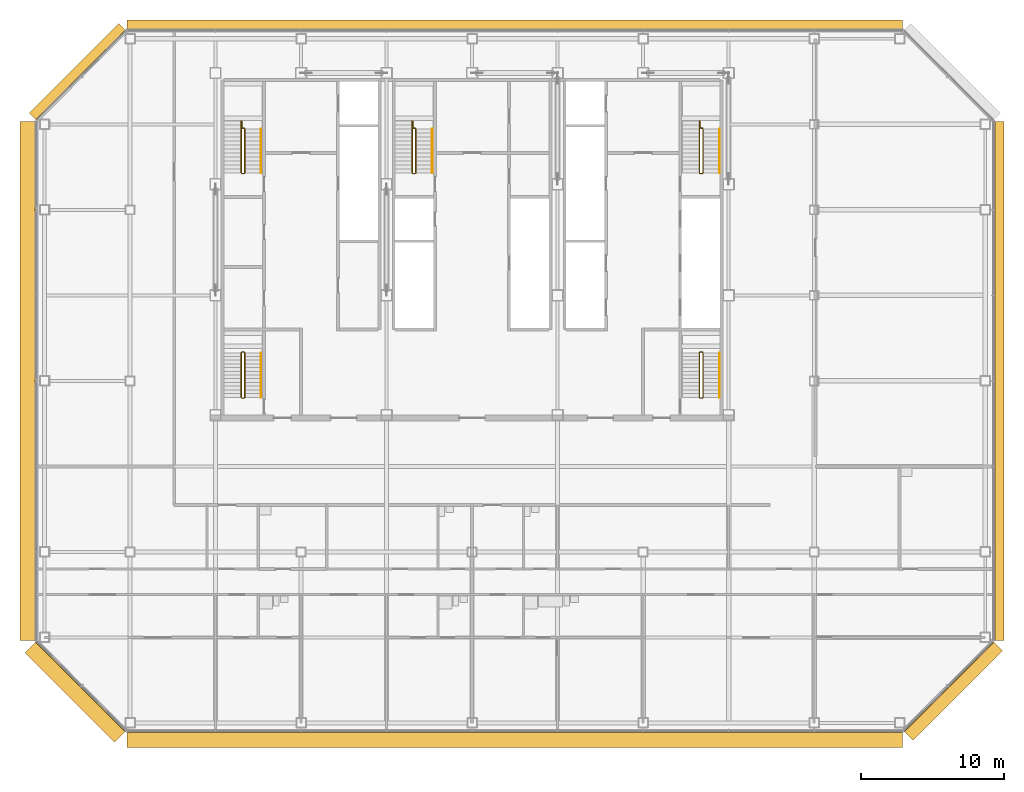
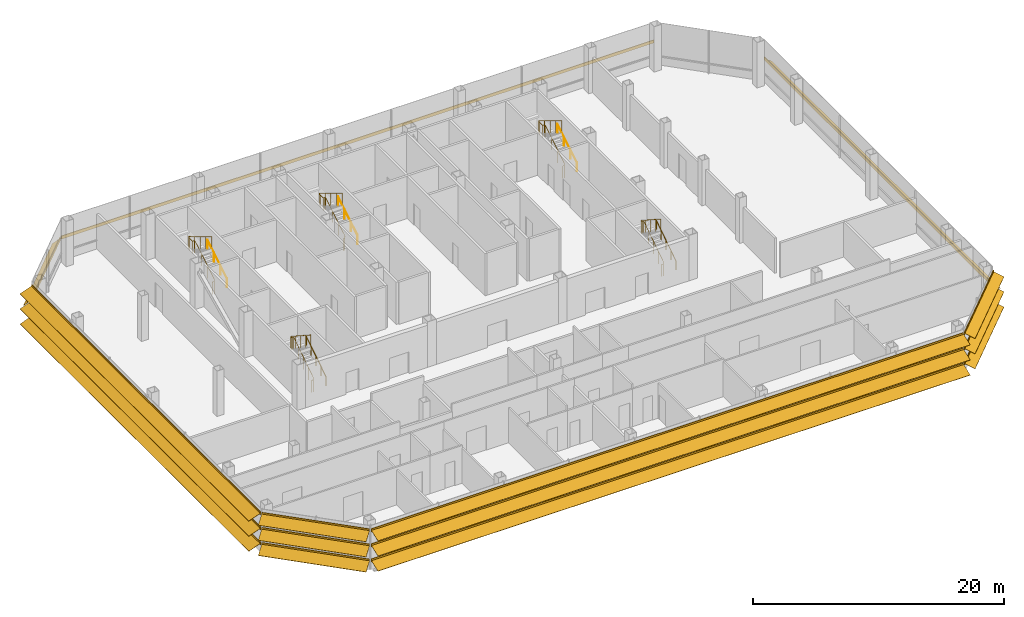
# One storey, part 24 of 26: 10 railings, 7 shading devices.
"""IFC4 building model written with IfcOpenShell, lengths in metres."""

from ifc_helpers import new_model, si_unit, direction, frame, origin, origin_2d, place, context, subcontext, project, spatial, polyline, circle, outline, composite_profile, extrude, material, type_object, element, save


model = new_model("IFC4")

# Units and contexts
model_context = context("Model", 3, precision=1e-05, world=origin(), true_north=direction((0.0, 1.0)))
body_context = subcontext(model_context, "Body", "Model", "MODEL_VIEW")
ifc_project = project(units=[si_unit("LENGTHUNIT", "METRE"), si_unit("AREAUNIT", "SQUARE_METRE"), si_unit("VOLUMEUNIT", "CUBIC_METRE"), si_unit("PLANEANGLEUNIT", "RADIAN"), si_unit("MASSUNIT", "GRAM", prefix="KILO")], contexts=[model_context])

# Site, building, storey
site_placement = place(None, origin())
site = spatial("IfcSite", under=ifc_project, at=site_placement, CompositionType="ELEMENT")
building_placement = place(site_placement, origin())
building = spatial("IfcBuilding", under=site, at=building_placement, Name="Sorahane Residences", CompositionType="ELEMENT")
storey_placement = place(building_placement, frame((0.0, 0.0, 181.60009765625)))
storey = spatial("IfcBuildingStorey", under=building, at=storey_placement, Name="L42", CompositionType="ELEMENT", Elevation=181.60009765625)

# Shading devices
ifc_material_1 = material(Name="Terracotta anodised aluminium", Category="masonry")
shading_device_type_1 = type_object("IfcShadingDeviceType", Name="Louvre sunshade blade E terracotta aluminium 700", PredefinedType="JALOUSIE", material=ifc_material_1)
shading_device_1_placement = place(storey_placement, frame((60.60009765625, 5.801513671875, 2.199951171875), z_axis=(0.0, 1.0, 0.0), x_axis=(-1.0, 0.0, 0.0)))
element("IfcShadingDevice", 1, at=shading_device_1_placement, inside=storey, type_object=shading_device_type_1, Name="Louvre sunshade blade bank E L42 E1", PredefinedType="JALOUSIE", context=body_context, shape_type="SweptSolid", body=[
    extrude(outline(polyline([(-0.719970703125, -0.49365234375), (-0.719970703125, -0.523681640625), (-0.080078125, -0.05859375), (-0.080078125, -0.14990234375), (-0.02001953125, -0.14990234375), (-0.02001953125, -0.014892578125), (-0.02001953125, 0.014892578125), (-0.02001953125, 0.14990234375), (-0.080078125, 0.14990234375), (-0.080078125, -0.028564453125), (-0.719970703125, -0.49365234375)])), origin(), (0.0, 0.0, 1.0), 36.39697265625),
])
ifc_material_2 = material(Name="Terracotta anodised aluminium", Category="masonry")
shading_device_type_2 = type_object("IfcShadingDeviceType", Name="Louvre sunshade blade N terracotta aluminium 700", PredefinedType="JALOUSIE", material=ifc_material_2)
shading_device_2_placement = place(storey_placement, frame((54.198486328125, 48.60009765625, 2.199951171875), z_axis=(-1.0, 0.0, 0.0), x_axis=(0.0, -1.0, 0.0)))
element("IfcShadingDevice", 2, at=shading_device_2_placement, inside=storey, type_object=shading_device_type_2, Name="Louvre sunshade blade bank N L42 N1", PredefinedType="JALOUSIE", context=body_context, shape_type="SweptSolid", body=[
    extrude(outline(polyline([(-0.719970703125, -0.660888671875), (-0.719970703125, -0.69091796875), (-0.080078125, -0.072998046875), (-0.080078125, -0.14990234375), (-0.02001953125, -0.14990234375), (-0.02001953125, -0.014892578125), (-0.02001953125, 0.014892578125), (-0.02001953125, 0.14990234375), (-0.080078125, 0.14990234375), (-0.080078125, -0.04296875), (-0.719970703125, -0.660888671875)])), origin(), (0.0, 0.0, 1.0), 54.39697265625),
])
ifc_material_3 = material(Name="Terracotta anodised aluminium", Category="masonry")
shading_device_type_3 = type_object("IfcShadingDeviceType", Name="Louvre sunshade blade NW terracotta aluminium 700", PredefinedType="JALOUSIE", material=ifc_material_3)
shading_device_3_placement = place(storey_placement, frame((-0.283935546875, 48.564697265625, 2.199951171875), z_axis=(-0.707106781187, -0.707106781187, 0.0), x_axis=(0.707106781187, -0.707106781187, 0.0)))
element("IfcShadingDevice", 3, at=shading_device_3_placement, inside=storey, type_object=shading_device_type_3, Name="Louvre sunshade blade bank NW L42 NW1", PredefinedType="JALOUSIE", context=body_context, shape_type="SweptSolid", body=[
    extrude(outline(polyline([(-0.719970703125, -0.660888671875), (-0.719970703125, -0.69091796875), (-0.080078125, -0.072998046875), (-0.080078125, -0.14990234375), (-0.02001953125, -0.14990234375), (-0.02001953125, -0.014892578125), (-0.02001953125, 0.014892578125), (-0.02001953125, 0.14990234375), (-0.080078125, 0.14990234375), (-0.080078125, -0.04296875), (-0.719970703125, -0.660888671875)])), origin(), (0.0, 0.0, 1.0), 8.88232421875),
])
ifc_material_4 = material(Name="Terracotta anodised aluminium", Category="masonry")
shading_device_type_4 = type_object("IfcShadingDeviceType", Name="Louvre sunshade blade S terracotta aluminium 1100", PredefinedType="JALOUSIE", material=ifc_material_4)
shading_device_4_placement = place(storey_placement, frame((-0.198486328125, -0.60009765625, 0.733154296875), z_axis=(1.0, 0.0, 0.0), x_axis=(0.0, 1.0, 0.0)))
element("IfcShadingDevice", 4, at=shading_device_4_placement, inside=storey, type_object=shading_device_type_4, Name="Louvre sunshade blade bank S L42 S1", PredefinedType="JALOUSIE", context=body_context, shape_type="SweptSolid", body=[
    extrude(composite_profile([outline(polyline([(-1.1201171875, -0.385498046875), (-1.1201171875, -0.415283203125), (-0.080078125, -0.036865234375), (-0.080078125, -0.14990234375), (-0.02001953125, -0.14990234375), (-0.02001953125, -0.014892578125), (-0.02001953125, 0.014892578125), (-0.02001953125, 0.14990234375), (-0.080078125, 0.14990234375), (-0.080078125, -0.0068359375), (-1.1201171875, -0.385498046875)])), outline(polyline([(-1.1201171875, 1.081298828125), (-1.1201171875, 1.05126953125), (-0.080078125, 1.429931640625), (-0.080078125, 1.316650390625), (-0.02001953125, 1.316650390625), (-0.02001953125, 1.45166015625), (-0.02001953125, 1.481689453125), (-0.02001953125, 1.61669921875), (-0.080078125, 1.61669921875), (-0.080078125, 1.4599609375), (-1.1201171875, 1.081298828125)])), outline(polyline([(-1.1201171875, 2.5478515625), (-1.1201171875, 2.517822265625), (-0.080078125, 2.896484375), (-0.080078125, 2.783203125), (-0.02001953125, 2.783203125), (-0.02001953125, 2.918212890625), (-0.02001953125, 2.9482421875), (-0.02001953125, 3.083251953125), (-0.080078125, 3.083251953125), (-0.080078125, 2.926513671875), (-1.1201171875, 2.5478515625)]))]), origin(), (0.0, 0.0, 1.0), 54.39697265625),
])
ifc_material_5 = material(Name="Terracotta anodised aluminium", Category="masonry")
shading_device_type_5 = type_object("IfcShadingDeviceType", Name="Louvre sunshade blade SE terracotta aluminium 900", PredefinedType="JALOUSIE", material=ifc_material_5)
shading_device_5_placement = place(storey_placement, frame((54.283935546875, -0.564697265625, 0.733154296875), z_axis=(0.707106781187, 0.707106781187, 0.0), x_axis=(-0.707106781187, 0.707106781187, 0.0)))
element("IfcShadingDevice", 5, at=shading_device_5_placement, inside=storey, type_object=shading_device_type_5, Name="Louvre sunshade blade bank SE L42 SE1", PredefinedType="JALOUSIE", context=body_context, shape_type="SweptSolid", body=[
    extrude(composite_profile([outline(polyline([(-0.919921875, -0.3486328125), (-0.919921875, -0.378662109375), (-0.080078125, -0.039306640625), (-0.080078125, -0.14990234375), (-0.02001953125, -0.14990234375), (-0.02001953125, -0.014892578125), (-0.02001953125, 0.014892578125), (-0.02001953125, 0.14990234375), (-0.080078125, 0.14990234375), (-0.080078125, -0.00927734375), (-0.919921875, -0.3486328125)])), outline(polyline([(-0.919921875, 1.1181640625), (-0.919921875, 1.088134765625), (-0.080078125, 1.427490234375), (-0.080078125, 1.316650390625), (-0.02001953125, 1.316650390625), (-0.02001953125, 1.45166015625), (-0.02001953125, 1.481689453125), (-0.02001953125, 1.61669921875), (-0.080078125, 1.61669921875), (-0.080078125, 1.45751953125), (-0.919921875, 1.1181640625)])), outline(polyline([(-0.919921875, 2.584716796875), (-0.919921875, 2.5546875), (-0.080078125, 2.89404296875), (-0.080078125, 2.783203125), (-0.02001953125, 2.783203125), (-0.02001953125, 2.918212890625), (-0.02001953125, 2.9482421875), (-0.02001953125, 3.083251953125), (-0.080078125, 3.083251953125), (-0.080078125, 2.924072265625), (-0.919921875, 2.584716796875)]))]), origin(), (0.0, 0.0, 1.0), 8.88232421875),
])
ifc_material_6 = material(Name="Terracotta anodised aluminium", Category="masonry")
shading_device_type_6 = type_object("IfcShadingDeviceType", Name="Louvre sunshade blade SW terracotta aluminium 1100", PredefinedType="JALOUSIE", material=ifc_material_6)
shading_device_6_placement = place(storey_placement, frame((-6.564697265625, 5.716064453125, 0.733154296875), z_axis=(0.707106781187, -0.707106781187, 0.0), x_axis=(0.707106781187, 0.707106781187, 0.0)))
element("IfcShadingDevice", 6, at=shading_device_6_placement, inside=storey, type_object=shading_device_type_6, Name="Louvre sunshade blade bank SW L42 SW1", PredefinedType="JALOUSIE", context=body_context, shape_type="SweptSolid", body=[
    extrude(composite_profile([outline(polyline([(-1.1201171875, -0.385498046875), (-1.1201171875, -0.415283203125), (-0.080078125, -0.036865234375), (-0.080078125, -0.14990234375), (-0.02001953125, -0.14990234375), (-0.02001953125, -0.014892578125), (-0.02001953125, 0.014892578125), (-0.02001953125, 0.14990234375), (-0.080078125, 0.14990234375), (-0.080078125, -0.0068359375), (-1.1201171875, -0.385498046875)])), outline(polyline([(-1.1201171875, 1.081298828125), (-1.1201171875, 1.05126953125), (-0.080078125, 1.429931640625), (-0.080078125, 1.316650390625), (-0.02001953125, 1.316650390625), (-0.02001953125, 1.45166015625), (-0.02001953125, 1.481689453125), (-0.02001953125, 1.61669921875), (-0.080078125, 1.61669921875), (-0.080078125, 1.4599609375), (-1.1201171875, 1.081298828125)])), outline(polyline([(-1.1201171875, 2.5478515625), (-1.1201171875, 2.517822265625), (-0.080078125, 2.896484375), (-0.080078125, 2.783203125), (-0.02001953125, 2.783203125), (-0.02001953125, 2.918212890625), (-0.02001953125, 2.9482421875), (-0.02001953125, 3.083251953125), (-0.080078125, 3.083251953125), (-0.080078125, 2.926513671875), (-1.1201171875, 2.5478515625)]))]), origin(), (0.0, 0.0, 1.0), 8.88232421875),
])
ifc_material_7 = material(Name="Terracotta anodised aluminium", Category="masonry")
shading_device_type_7 = type_object("IfcShadingDeviceType", Name="Louvre sunshade blade W terracotta aluminium 1100", PredefinedType="JALOUSIE", material=ifc_material_7)
shading_device_7_placement = place(storey_placement, frame((-6.60009765625, 42.198486328125, 0.733154296875), z_axis=(0.0, -1.0, 0.0), x_axis=(1.0, 0.0, 0.0)))
element("IfcShadingDevice", 7, at=shading_device_7_placement, inside=storey, type_object=shading_device_type_7, Name="Louvre sunshade blade bank W L42 W1", PredefinedType="JALOUSIE", context=body_context, shape_type="SweptSolid", body=[
    extrude(composite_profile([outline(polyline([(-1.1201171875, -0.385498046875), (-1.1201171875, -0.415283203125), (-0.080078125, -0.036865234375), (-0.080078125, -0.14990234375), (-0.02001953125, -0.14990234375), (-0.02001953125, -0.014892578125), (-0.02001953125, 0.014892578125), (-0.02001953125, 0.14990234375), (-0.080078125, 0.14990234375), (-0.080078125, -0.0068359375), (-1.1201171875, -0.385498046875)])), outline(polyline([(-1.1201171875, 1.081298828125), (-1.1201171875, 1.05126953125), (-0.080078125, 1.429931640625), (-0.080078125, 1.316650390625), (-0.02001953125, 1.316650390625), (-0.02001953125, 1.45166015625), (-0.02001953125, 1.481689453125), (-0.02001953125, 1.61669921875), (-0.080078125, 1.61669921875), (-0.080078125, 1.4599609375), (-1.1201171875, 1.081298828125)])), outline(polyline([(-1.1201171875, 2.5478515625), (-1.1201171875, 2.517822265625), (-0.080078125, 2.896484375), (-0.080078125, 2.783203125), (-0.02001953125, 2.783203125), (-0.02001953125, 2.918212890625), (-0.02001953125, 2.9482421875), (-0.02001953125, 3.083251953125), (-0.080078125, 3.083251953125), (-0.080078125, 2.926513671875), (-1.1201171875, 2.5478515625)]))]), origin(), (0.0, 0.0, 1.0), 36.39697265625),
])

# Railings
ifc_material_8 = material(Name="Steel Q355B", Category="steel")
railing_type_1 = type_object("IfcRailingType", Name="Stair guard 1200 Steel Q355B", PredefinedType="GUARDRAIL", material=ifc_material_8)
railing_1_placement = place(storey_placement, frame((7.85009765625, 38.550048828125, 0.0)))
element("IfcRailing", 8, at=railing_1_placement, inside=storey, type_object=railing_type_1, Name="L42 S1 stair guard 1", PredefinedType="GUARDRAIL", context=body_context, shape_type="SweptSolid", body=[
    extrude(circle(Radius=0.02392578125, at=origin_2d()), frame((0.0, 0.0, 1.17578125), z_axis=(1.0, 0.0, 0.0), x_axis=(0.0, 1.0, 0.0)), (0.0, 0.0, 1.0), 0.14990234375),
    extrude(circle(Radius=0.02392578125, at=origin_2d()), frame((0.14990234375, 0.0, 1.17578125), z_axis=(0.272897288611, 0.272897288611, 0.922525956132), x_axis=(-0.707106781187, 0.707106781187, 0.0)), (0.0, 0.0, 1.0), 0.183349609375),
    extrude(circle(Radius=0.02392578125, at=origin_2d()), frame((0.199951171875, 0.050048828125, 1.34521484375), z_axis=(0.0, 0.855812307579, 0.51728647208), x_axis=(-1.0, 0.0, 0.0)), (0.0, 0.0, 1.0), 3.5986328125),
    extrude(circle(Radius=0.02392578125, at=origin_2d()), frame((0.199951171875, 3.1298828125, 3.20654296875), z_axis=(-0.707106781187, 0.707106781187, 0.0), x_axis=(-0.707106781187, -0.707106781187, 0.0)), (0.0, 0.0, 1.0), 0.07080078125),
    extrude(circle(Radius=0.02392578125, at=origin_2d()), frame((0.14990234375, 3.179931640625, 3.20654296875), z_axis=(-1.0, 0.0, 0.0), x_axis=(0.0, -1.0, 0.0)), (0.0, 0.0, 1.0), 0.14990234375),
    extrude(circle(Radius=0.02392578125, at=origin_2d()), frame((0.0, 3.179931640625, 3.20654296875), z_axis=(0.0, 1.0, 0.0), x_axis=(-1.0, 0.0, 0.0)), (0.0, 0.0, 1.0), 0.4599609375),
    extrude(circle(Radius=0.02392578125, at=origin_2d()), frame((0.0, 3.639892578125, 3.20654296875), z_axis=(-0.272897288611, 0.272897288611, 0.922525956132), x_axis=(-0.707106781187, -0.707106781187, 0.0)), (0.0, 0.0, 1.0), 0.183349609375),
    extrude(circle(Radius=0.02392578125, at=origin_2d()), frame((-0.050048828125, 3.68994140625, 3.3759765625), z_axis=(0.0, -0.855827133697, 0.517261942568), x_axis=(1.0, 0.0, 0.0)), (0.0, 0.0, 1.0), 4.253173828125),
    extrude(circle(Radius=0.02099609375, at=origin_2d()), origin(), (0.0, 0.0, 1.0), 1.15185546875),
    extrude(circle(Radius=0.02099609375, at=origin_2d()), frame((0.14990234375, 0.0, 0.0)), (0.0, 0.0, 1.0), 1.15185546875),
    extrude(circle(Radius=0.02099609375, at=origin_2d()), frame((0.199951171875, 0.050048828125, 0.169189453125)), (0.0, 0.0, 1.0), 1.15185546875),
    extrude(circle(Radius=0.02099609375, at=origin_2d()), frame((0.199951171875, 1.07666015625, 0.789794921875)), (0.0, 0.0, 1.0), 1.15185546875),
    extrude(circle(Radius=0.02099609375, at=origin_2d()), frame((0.199951171875, 2.103271484375, 1.41015625)), (0.0, 0.0, 1.0), 1.15185546875),
    extrude(circle(Radius=0.02099609375, at=origin_2d()), frame((0.199951171875, 3.1298828125, 2.03076171875)), (0.0, 0.0, 1.0), 1.15185546875),
    extrude(circle(Radius=0.02099609375, at=origin_2d()), frame((0.14990234375, 3.179931640625, 2.03076171875)), (0.0, 0.0, 1.0), 1.15185546875),
    extrude(circle(Radius=0.02099609375, at=origin_2d()), frame((0.0, 3.179931640625, 2.03076171875)), (0.0, 0.0, 1.0), 1.15185546875),
    extrude(circle(Radius=0.02099609375, at=origin_2d()), frame((0.0, 3.639892578125, 2.03076171875)), (0.0, 0.0, 1.0), 1.15185546875),
    extrude(circle(Radius=0.02099609375, at=origin_2d()), frame((-0.050048828125, 3.68994140625, 2.199951171875)), (0.0, 0.0, 1.0), 1.15185546875),
    extrude(circle(Radius=0.02099609375, at=origin_2d()), frame((-0.050048828125, 2.780029296875, 2.75)), (0.0, 0.0, 1.0), 1.15185546875),
    extrude(circle(Radius=0.02099609375, at=origin_2d()), frame((-0.050048828125, 1.8701171875, 3.2998046875)), (0.0, 0.0, 1.0), 1.15185546875),
    extrude(circle(Radius=0.02099609375, at=origin_2d()), frame((-0.050048828125, 0.9599609375, 3.849853515625)), (0.0, 0.0, 1.0), 1.15185546875),
    extrude(circle(Radius=0.02099609375, at=origin_2d()), frame((-0.050048828125, 0.050048828125, 4.39990234375)), (0.0, 0.0, 1.0), 1.15185546875),
])
railing_2_placement = place(storey_placement, frame((40.0, 38.550048828125, 0.0)))
element("IfcRailing", 9, at=railing_2_placement, inside=storey, type_object=railing_type_1, Name="L42 S2 stair guard 1", PredefinedType="GUARDRAIL", context=body_context, shape_type="SweptSolid", body=[
    extrude(circle(Radius=0.02392578125, at=origin_2d()), frame((0.0, 0.0, 1.17578125), z_axis=(1.0, 0.0, 0.0), x_axis=(0.0, 1.0, 0.0)), (0.0, 0.0, 1.0), 0.14990234375),
    extrude(circle(Radius=0.02392578125, at=origin_2d()), frame((0.14990234375, 0.0, 1.17578125), z_axis=(0.272897288611, 0.272897288611, 0.922525956132), x_axis=(-0.707106781187, 0.707106781187, 0.0)), (0.0, 0.0, 1.0), 0.183349609375),
    extrude(circle(Radius=0.02392578125, at=origin_2d()), frame((0.199951171875, 0.050048828125, 1.34521484375), z_axis=(0.0, 0.855812307579, 0.51728647208), x_axis=(-1.0, 0.0, 0.0)), (0.0, 0.0, 1.0), 3.5986328125),
    extrude(circle(Radius=0.02392578125, at=origin_2d()), frame((0.199951171875, 3.1298828125, 3.20654296875), z_axis=(-0.707106781187, 0.707106781187, 0.0), x_axis=(-0.707106781187, -0.707106781187, 0.0)), (0.0, 0.0, 1.0), 0.07080078125),
    extrude(circle(Radius=0.02392578125, at=origin_2d()), frame((0.14990234375, 3.179931640625, 3.20654296875), z_axis=(-1.0, 0.0, 0.0), x_axis=(0.0, -1.0, 0.0)), (0.0, 0.0, 1.0), 0.14990234375),
    extrude(circle(Radius=0.02392578125, at=origin_2d()), frame((0.0, 3.179931640625, 3.20654296875), z_axis=(0.0, 1.0, 0.0), x_axis=(-1.0, 0.0, 0.0)), (0.0, 0.0, 1.0), 0.4599609375),
    extrude(circle(Radius=0.02392578125, at=origin_2d()), frame((0.0, 3.639892578125, 3.20654296875), z_axis=(-0.272897288611, 0.272897288611, 0.922525956132), x_axis=(-0.707106781187, -0.707106781187, 0.0)), (0.0, 0.0, 1.0), 0.183349609375),
    extrude(circle(Radius=0.02392578125, at=origin_2d()), frame((-0.050048828125, 3.68994140625, 3.3759765625), z_axis=(0.0, -0.855827133697, 0.517261942568), x_axis=(1.0, 0.0, 0.0)), (0.0, 0.0, 1.0), 4.253173828125),
    extrude(circle(Radius=0.02099609375, at=origin_2d()), origin(), (0.0, 0.0, 1.0), 1.15185546875),
    extrude(circle(Radius=0.02099609375, at=origin_2d()), frame((0.14990234375, 0.0, 0.0)), (0.0, 0.0, 1.0), 1.15185546875),
    extrude(circle(Radius=0.02099609375, at=origin_2d()), frame((0.199951171875, 0.050048828125, 0.169189453125)), (0.0, 0.0, 1.0), 1.15185546875),
    extrude(circle(Radius=0.02099609375, at=origin_2d()), frame((0.199951171875, 1.07666015625, 0.789794921875)), (0.0, 0.0, 1.0), 1.15185546875),
    extrude(circle(Radius=0.02099609375, at=origin_2d()), frame((0.199951171875, 2.103271484375, 1.41015625)), (0.0, 0.0, 1.0), 1.15185546875),
    extrude(circle(Radius=0.02099609375, at=origin_2d()), frame((0.199951171875, 3.1298828125, 2.03076171875)), (0.0, 0.0, 1.0), 1.15185546875),
    extrude(circle(Radius=0.02099609375, at=origin_2d()), frame((0.14990234375, 3.179931640625, 2.03076171875)), (0.0, 0.0, 1.0), 1.15185546875),
    extrude(circle(Radius=0.02099609375, at=origin_2d()), frame((0.0, 3.179931640625, 2.03076171875)), (0.0, 0.0, 1.0), 1.15185546875),
    extrude(circle(Radius=0.02099609375, at=origin_2d()), frame((0.0, 3.639892578125, 2.03076171875)), (0.0, 0.0, 1.0), 1.15185546875),
    extrude(circle(Radius=0.02099609375, at=origin_2d()), frame((-0.050048828125, 3.68994140625, 2.199951171875)), (0.0, 0.0, 1.0), 1.15185546875),
    extrude(circle(Radius=0.02099609375, at=origin_2d()), frame((-0.050048828125, 2.780029296875, 2.75)), (0.0, 0.0, 1.0), 1.15185546875),
    extrude(circle(Radius=0.02099609375, at=origin_2d()), frame((-0.050048828125, 1.8701171875, 3.2998046875)), (0.0, 0.0, 1.0), 1.15185546875),
    extrude(circle(Radius=0.02099609375, at=origin_2d()), frame((-0.050048828125, 0.9599609375, 3.849853515625)), (0.0, 0.0, 1.0), 1.15185546875),
    extrude(circle(Radius=0.02099609375, at=origin_2d()), frame((-0.050048828125, 0.050048828125, 4.39990234375)), (0.0, 0.0, 1.0), 1.15185546875),
])
railing_3_placement = place(storey_placement, frame((19.85009765625, 38.550048828125, 0.0)))
element("IfcRailing", 10, at=railing_3_placement, inside=storey, type_object=railing_type_1, Name="L42 S3 stair guard 1", PredefinedType="GUARDRAIL", context=body_context, shape_type="SweptSolid", body=[
    extrude(circle(Radius=0.02392578125, at=origin_2d()), frame((0.0, 0.0, 1.17578125), z_axis=(1.0, 0.0, 0.0), x_axis=(0.0, 1.0, 0.0)), (0.0, 0.0, 1.0), 0.14990234375),
    extrude(circle(Radius=0.02392578125, at=origin_2d()), frame((0.14990234375, 0.0, 1.17578125), z_axis=(0.272897288611, 0.272897288611, 0.922525956132), x_axis=(-0.707106781187, 0.707106781187, 0.0)), (0.0, 0.0, 1.0), 0.183349609375),
    extrude(circle(Radius=0.02392578125, at=origin_2d()), frame((0.199951171875, 0.050048828125, 1.34521484375), z_axis=(0.0, 0.855812307579, 0.51728647208), x_axis=(-1.0, 0.0, 0.0)), (0.0, 0.0, 1.0), 3.5986328125),
    extrude(circle(Radius=0.02392578125, at=origin_2d()), frame((0.199951171875, 3.1298828125, 3.20654296875), z_axis=(-0.707106781187, 0.707106781187, 0.0), x_axis=(-0.707106781187, -0.707106781187, 0.0)), (0.0, 0.0, 1.0), 0.07080078125),
    extrude(circle(Radius=0.02392578125, at=origin_2d()), frame((0.14990234375, 3.179931640625, 3.20654296875), z_axis=(-1.0, 0.0, 0.0), x_axis=(0.0, -1.0, 0.0)), (0.0, 0.0, 1.0), 0.14990234375),
    extrude(circle(Radius=0.02392578125, at=origin_2d()), frame((0.0, 3.179931640625, 3.20654296875), z_axis=(0.0, 1.0, 0.0), x_axis=(-1.0, 0.0, 0.0)), (0.0, 0.0, 1.0), 0.4599609375),
    extrude(circle(Radius=0.02392578125, at=origin_2d()), frame((0.0, 3.639892578125, 3.20654296875), z_axis=(-0.272897288611, 0.272897288611, 0.922525956132), x_axis=(-0.707106781187, -0.707106781187, 0.0)), (0.0, 0.0, 1.0), 0.183349609375),
    extrude(circle(Radius=0.02392578125, at=origin_2d()), frame((-0.050048828125, 3.68994140625, 3.3759765625), z_axis=(0.0, -0.855827133697, 0.517261942568), x_axis=(1.0, 0.0, 0.0)), (0.0, 0.0, 1.0), 4.253173828125),
    extrude(circle(Radius=0.02099609375, at=origin_2d()), origin(), (0.0, 0.0, 1.0), 1.15185546875),
    extrude(circle(Radius=0.02099609375, at=origin_2d()), frame((0.14990234375, 0.0, 0.0)), (0.0, 0.0, 1.0), 1.15185546875),
    extrude(circle(Radius=0.02099609375, at=origin_2d()), frame((0.199951171875, 0.050048828125, 0.169189453125)), (0.0, 0.0, 1.0), 1.15185546875),
    extrude(circle(Radius=0.02099609375, at=origin_2d()), frame((0.199951171875, 1.07666015625, 0.789794921875)), (0.0, 0.0, 1.0), 1.15185546875),
    extrude(circle(Radius=0.02099609375, at=origin_2d()), frame((0.199951171875, 2.103271484375, 1.41015625)), (0.0, 0.0, 1.0), 1.15185546875),
    extrude(circle(Radius=0.02099609375, at=origin_2d()), frame((0.199951171875, 3.1298828125, 2.03076171875)), (0.0, 0.0, 1.0), 1.15185546875),
    extrude(circle(Radius=0.02099609375, at=origin_2d()), frame((0.14990234375, 3.179931640625, 2.03076171875)), (0.0, 0.0, 1.0), 1.15185546875),
    extrude(circle(Radius=0.02099609375, at=origin_2d()), frame((0.0, 3.179931640625, 2.03076171875)), (0.0, 0.0, 1.0), 1.15185546875),
    extrude(circle(Radius=0.02099609375, at=origin_2d()), frame((0.0, 3.639892578125, 2.03076171875)), (0.0, 0.0, 1.0), 1.15185546875),
    extrude(circle(Radius=0.02099609375, at=origin_2d()), frame((-0.050048828125, 3.68994140625, 2.199951171875)), (0.0, 0.0, 1.0), 1.15185546875),
    extrude(circle(Radius=0.02099609375, at=origin_2d()), frame((-0.050048828125, 2.780029296875, 2.75)), (0.0, 0.0, 1.0), 1.15185546875),
    extrude(circle(Radius=0.02099609375, at=origin_2d()), frame((-0.050048828125, 1.8701171875, 3.2998046875)), (0.0, 0.0, 1.0), 1.15185546875),
    extrude(circle(Radius=0.02099609375, at=origin_2d()), frame((-0.050048828125, 0.9599609375, 3.849853515625)), (0.0, 0.0, 1.0), 1.15185546875),
    extrude(circle(Radius=0.02099609375, at=origin_2d()), frame((-0.050048828125, 0.050048828125, 4.39990234375)), (0.0, 0.0, 1.0), 1.15185546875),
])
railing_4_placement = place(storey_placement, frame((7.85009765625, 22.800048828125, 0.0)))
element("IfcRailing", 11, at=railing_4_placement, inside=storey, type_object=railing_type_1, Name="L42 S4 stair guard 1", PredefinedType="GUARDRAIL", context=body_context, shape_type="SweptSolid", body=[
    extrude(circle(Radius=0.02392578125, at=origin_2d()), frame((0.0, 0.0, 1.17578125), z_axis=(1.0, 0.0, 0.0), x_axis=(0.0, 1.0, 0.0)), (0.0, 0.0, 1.0), 0.14990234375),
    extrude(circle(Radius=0.02392578125, at=origin_2d()), frame((0.14990234375, 0.0, 1.17578125), z_axis=(0.272897288611, 0.272897288611, 0.922525956132), x_axis=(-0.707106781187, 0.707106781187, 0.0)), (0.0, 0.0, 1.0), 0.183349609375),
    extrude(circle(Radius=0.02392578125, at=origin_2d()), frame((0.199951171875, 0.050048828125, 1.34521484375), z_axis=(0.0, 0.838094317583, 0.54552535673), x_axis=(-1.0, 0.0, 0.0)), (0.0, 0.0, 1.0), 3.72265625),
    extrude(circle(Radius=0.02392578125, at=origin_2d()), frame((0.199951171875, 3.169921875, 3.3759765625), z_axis=(-0.707106781187, 0.707106781187, 0.0), x_axis=(-0.707106781187, -0.707106781187, 0.0)), (0.0, 0.0, 1.0), 0.07080078125),
    extrude(circle(Radius=0.02392578125, at=origin_2d()), frame((0.14990234375, 3.219970703125, 3.3759765625), z_axis=(-1.0, 0.0, 0.0), x_axis=(0.0, -1.0, 0.0)), (0.0, 0.0, 1.0), 0.14990234375),
    extrude(circle(Radius=0.02392578125, at=origin_2d()), frame((0.0, 3.219970703125, 3.3759765625), z_axis=(-0.272897288611, -0.272897288611, 0.922525956132), x_axis=(0.707106781187, -0.707106781187, 0.0)), (0.0, 0.0, 1.0), 0.183349609375),
    extrude(circle(Radius=0.02392578125, at=origin_2d()), frame((-0.050048828125, 3.169921875, 3.544921875), z_axis=(0.0, -0.838094317583, 0.54552535673), x_axis=(1.0, 0.0, 0.0)), (0.0, 0.0, 1.0), 3.72265625),
    extrude(circle(Radius=0.02099609375, at=origin_2d()), origin(), (0.0, 0.0, 1.0), 1.15185546875),
    extrude(circle(Radius=0.02099609375, at=origin_2d()), frame((0.14990234375, 0.0, 0.0)), (0.0, 0.0, 1.0), 1.15185546875),
    extrude(circle(Radius=0.02099609375, at=origin_2d()), frame((0.199951171875, 0.050048828125, 0.169189453125)), (0.0, 0.0, 1.0), 1.15185546875),
    extrude(circle(Radius=0.02099609375, at=origin_2d()), frame((0.199951171875, 0.830078125, 0.6767578125)), (0.0, 0.0, 1.0), 1.15185546875),
    extrude(circle(Radius=0.02099609375, at=origin_2d()), frame((0.199951171875, 1.60986328125, 1.1845703125)), (0.0, 0.0, 1.0), 1.15185546875),
    extrude(circle(Radius=0.02099609375, at=origin_2d()), frame((0.199951171875, 2.389892578125, 1.6923828125)), (0.0, 0.0, 1.0), 1.15185546875),
    extrude(circle(Radius=0.02099609375, at=origin_2d()), frame((0.199951171875, 3.169921875, 2.199951171875)), (0.0, 0.0, 1.0), 1.15185546875),
    extrude(circle(Radius=0.02099609375, at=origin_2d()), frame((0.14990234375, 3.219970703125, 2.199951171875)), (0.0, 0.0, 1.0), 1.15185546875),
    extrude(circle(Radius=0.02099609375, at=origin_2d()), frame((0.0, 3.219970703125, 2.199951171875)), (0.0, 0.0, 1.0), 1.15185546875),
    extrude(circle(Radius=0.02099609375, at=origin_2d()), frame((-0.050048828125, 3.169921875, 2.369140625)), (0.0, 0.0, 1.0), 1.15185546875),
    extrude(circle(Radius=0.02099609375, at=origin_2d()), frame((-0.050048828125, 2.389892578125, 2.876953125)), (0.0, 0.0, 1.0), 1.15185546875),
    extrude(circle(Radius=0.02099609375, at=origin_2d()), frame((-0.050048828125, 1.60986328125, 3.384521484375)), (0.0, 0.0, 1.0), 1.15185546875),
    extrude(circle(Radius=0.02099609375, at=origin_2d()), frame((-0.050048828125, 0.830078125, 3.89208984375)), (0.0, 0.0, 1.0), 1.15185546875),
    extrude(circle(Radius=0.02099609375, at=origin_2d()), frame((-0.050048828125, 0.050048828125, 4.39990234375)), (0.0, 0.0, 1.0), 1.15185546875),
])
railing_5_placement = place(storey_placement, frame((40.0, 22.800048828125, 0.0)))
element("IfcRailing", 12, at=railing_5_placement, inside=storey, type_object=railing_type_1, Name="L42 S5 stair guard 1", PredefinedType="GUARDRAIL", context=body_context, shape_type="SweptSolid", body=[
    extrude(circle(Radius=0.02392578125, at=origin_2d()), frame((0.0, 0.0, 1.17578125), z_axis=(1.0, 0.0, 0.0), x_axis=(0.0, 1.0, 0.0)), (0.0, 0.0, 1.0), 0.14990234375),
    extrude(circle(Radius=0.02392578125, at=origin_2d()), frame((0.14990234375, 0.0, 1.17578125), z_axis=(0.272897288611, 0.272897288611, 0.922525956132), x_axis=(-0.707106781187, 0.707106781187, 0.0)), (0.0, 0.0, 1.0), 0.183349609375),
    extrude(circle(Radius=0.02392578125, at=origin_2d()), frame((0.199951171875, 0.050048828125, 1.34521484375), z_axis=(0.0, 0.838094317583, 0.54552535673), x_axis=(-1.0, 0.0, 0.0)), (0.0, 0.0, 1.0), 3.72265625),
    extrude(circle(Radius=0.02392578125, at=origin_2d()), frame((0.199951171875, 3.169921875, 3.3759765625), z_axis=(-0.707106781187, 0.707106781187, 0.0), x_axis=(-0.707106781187, -0.707106781187, 0.0)), (0.0, 0.0, 1.0), 0.07080078125),
    extrude(circle(Radius=0.02392578125, at=origin_2d()), frame((0.14990234375, 3.219970703125, 3.3759765625), z_axis=(-1.0, 0.0, 0.0), x_axis=(0.0, -1.0, 0.0)), (0.0, 0.0, 1.0), 0.14990234375),
    extrude(circle(Radius=0.02392578125, at=origin_2d()), frame((0.0, 3.219970703125, 3.3759765625), z_axis=(-0.272897288611, -0.272897288611, 0.922525956132), x_axis=(0.707106781187, -0.707106781187, 0.0)), (0.0, 0.0, 1.0), 0.183349609375),
    extrude(circle(Radius=0.02392578125, at=origin_2d()), frame((-0.050048828125, 3.169921875, 3.544921875), z_axis=(0.0, -0.838094317583, 0.54552535673), x_axis=(1.0, 0.0, 0.0)), (0.0, 0.0, 1.0), 3.72265625),
    extrude(circle(Radius=0.02099609375, at=origin_2d()), origin(), (0.0, 0.0, 1.0), 1.15185546875),
    extrude(circle(Radius=0.02099609375, at=origin_2d()), frame((0.14990234375, 0.0, 0.0)), (0.0, 0.0, 1.0), 1.15185546875),
    extrude(circle(Radius=0.02099609375, at=origin_2d()), frame((0.199951171875, 0.050048828125, 0.169189453125)), (0.0, 0.0, 1.0), 1.15185546875),
    extrude(circle(Radius=0.02099609375, at=origin_2d()), frame((0.199951171875, 0.830078125, 0.6767578125)), (0.0, 0.0, 1.0), 1.15185546875),
    extrude(circle(Radius=0.02099609375, at=origin_2d()), frame((0.199951171875, 1.60986328125, 1.1845703125)), (0.0, 0.0, 1.0), 1.15185546875),
    extrude(circle(Radius=0.02099609375, at=origin_2d()), frame((0.199951171875, 2.389892578125, 1.6923828125)), (0.0, 0.0, 1.0), 1.15185546875),
    extrude(circle(Radius=0.02099609375, at=origin_2d()), frame((0.199951171875, 3.169921875, 2.199951171875)), (0.0, 0.0, 1.0), 1.15185546875),
    extrude(circle(Radius=0.02099609375, at=origin_2d()), frame((0.14990234375, 3.219970703125, 2.199951171875)), (0.0, 0.0, 1.0), 1.15185546875),
    extrude(circle(Radius=0.02099609375, at=origin_2d()), frame((0.0, 3.219970703125, 2.199951171875)), (0.0, 0.0, 1.0), 1.15185546875),
    extrude(circle(Radius=0.02099609375, at=origin_2d()), frame((-0.050048828125, 3.169921875, 2.369140625)), (0.0, 0.0, 1.0), 1.15185546875),
    extrude(circle(Radius=0.02099609375, at=origin_2d()), frame((-0.050048828125, 2.389892578125, 2.876953125)), (0.0, 0.0, 1.0), 1.15185546875),
    extrude(circle(Radius=0.02099609375, at=origin_2d()), frame((-0.050048828125, 1.60986328125, 3.384521484375)), (0.0, 0.0, 1.0), 1.15185546875),
    extrude(circle(Radius=0.02099609375, at=origin_2d()), frame((-0.050048828125, 0.830078125, 3.89208984375)), (0.0, 0.0, 1.0), 1.15185546875),
    extrude(circle(Radius=0.02099609375, at=origin_2d()), frame((-0.050048828125, 0.050048828125, 4.39990234375)), (0.0, 0.0, 1.0), 1.15185546875),
])
ifc_material_9 = material(Name="Steel Q355B", Category="steel")
railing_type_2 = type_object("IfcRailingType", Name="Stair handrail 900 Steel Q355B", PredefinedType="HANDRAIL", material=ifc_material_9)
for number, where, name in (
    (13, (9.199951171875, 38.60009765625, 0.169189453125), "L42 S1 stair handrail 1"),
    (14, (41.35009765625, 38.60009765625, 0.169189453125), "L42 S2 stair handrail 1"),
    (15, (21.199951171875, 38.60009765625, 0.169189453125), "L42 S3 stair handrail 1"),
):
    element("IfcRailing", number, at=place(storey_placement, frame(where)), inside=storey, type_object=railing_type_2, Name=name, PredefinedType="HANDRAIL", context=body_context, shape_type="SweptSolid", body=[
        extrude(circle(Radius=0.02392578125, at=origin_2d()), frame((0.0, 0.0, 0.8759765625), z_axis=(0.0, 0.855812307579, 0.51728647208), x_axis=(-1.0, 0.0, 0.0)), (0.0, 0.0, 1.0), 3.5986328125),
        extrude(circle(Radius=0.02099609375, at=origin_2d()), origin(), (0.0, 0.0, 1.0), 0.851806640625),
        extrude(circle(Radius=0.02099609375, at=origin_2d()), frame((0.0, 1.026611328125, 0.62060546875)), (0.0, 0.0, 1.0), 0.851806640625),
        extrude(circle(Radius=0.02099609375, at=origin_2d()), frame((0.0, 2.05322265625, 1.240966796875)), (0.0, 0.0, 1.0), 0.851806640625),
        extrude(circle(Radius=0.02099609375, at=origin_2d()), frame((0.0, 3.079833984375, 1.861572265625)), (0.0, 0.0, 1.0), 0.851806640625),
    ])
for number, where, name in (
    (16, (9.199951171875, 22.85009765625, 0.169189453125), "L42 S4 stair handrail 1"),
    (17, (41.35009765625, 22.85009765625, 0.169189453125), "L42 S5 stair handrail 1"),
):
    element("IfcRailing", number, at=place(storey_placement, frame(where)), inside=storey, type_object=railing_type_2, Name=name, PredefinedType="HANDRAIL", context=body_context, shape_type="SweptSolid", body=[
        extrude(circle(Radius=0.02392578125, at=origin_2d()), frame((0.0, 0.0, 0.8759765625), z_axis=(0.0, 0.838094317583, 0.54552535673), x_axis=(-1.0, 0.0, 0.0)), (0.0, 0.0, 1.0), 3.72265625),
        extrude(circle(Radius=0.02099609375, at=origin_2d()), origin(), (0.0, 0.0, 1.0), 0.851806640625),
        extrude(circle(Radius=0.02099609375, at=origin_2d()), frame((0.0, 0.780029296875, 0.5078125)), (0.0, 0.0, 1.0), 0.851806640625),
        extrude(circle(Radius=0.02099609375, at=origin_2d()), frame((0.0, 1.56005859375, 1.015380859375)), (0.0, 0.0, 1.0), 0.851806640625),
        extrude(circle(Radius=0.02099609375, at=origin_2d()), frame((0.0, 2.33984375, 1.52294921875)), (0.0, 0.0, 1.0), 0.851806640625),
        extrude(circle(Radius=0.02099609375, at=origin_2d()), frame((0.0, 3.119873046875, 2.03076171875)), (0.0, 0.0, 1.0), 0.851806640625),
    ])

save(model, "model.ifc")
